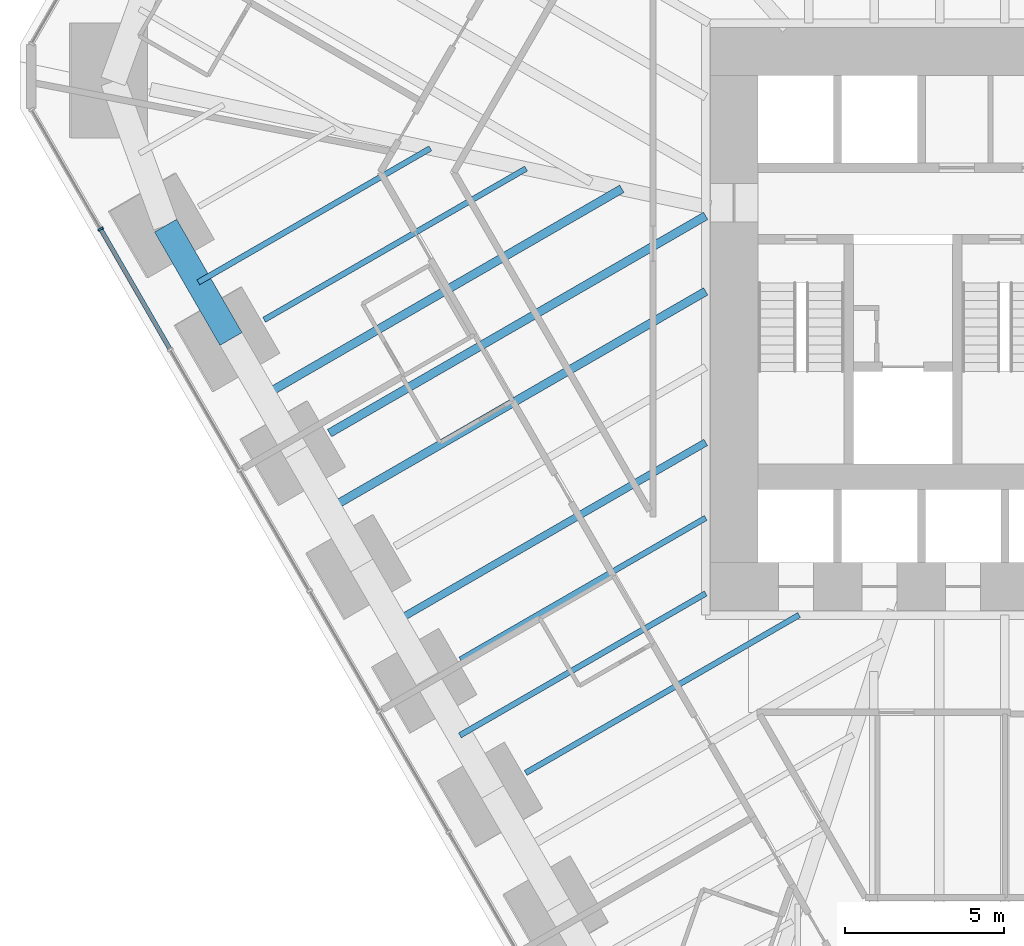
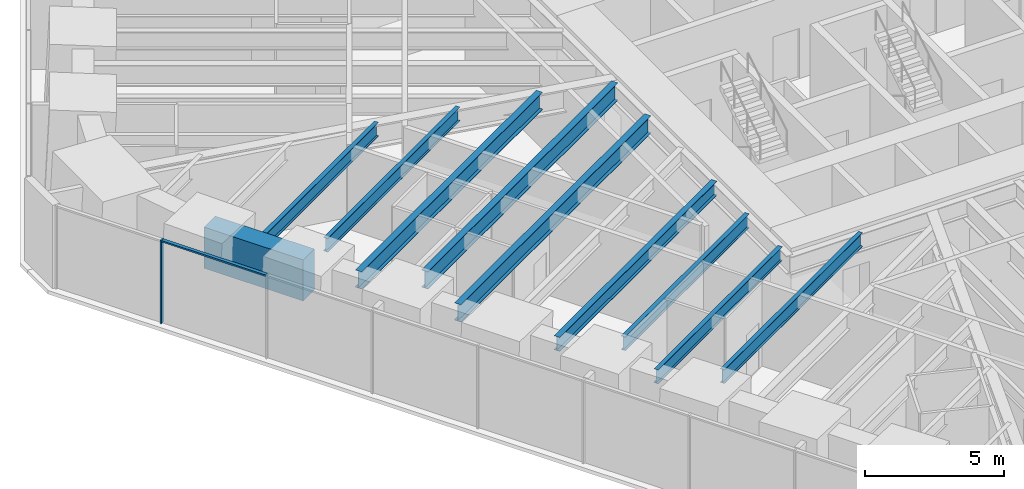
# One storey, part 3 of 17: 10 beams, 2 members, 1 element without a shape of its own.
"""IFC4 building model written with IfcOpenShell, lengths in metres."""

from ifc_helpers import new_model, si_unit, direction, frame, origin, origin_2d, place, context, subcontext, project, spatial, rectangle, i_section, extrude, material, material_profile, profile_set, type_object, element, aggregate, save


model = new_model("IFC4")

# Units and contexts
model_context = context("Model", 3, precision=1e-05, world=origin(), true_north=direction((0.0, 1.0)))
body_context = subcontext(model_context, "Body", "Model", "MODEL_VIEW")
ifc_project = project(units=[si_unit("LENGTHUNIT", "METRE"), si_unit("AREAUNIT", "SQUARE_METRE"), si_unit("VOLUMEUNIT", "CUBIC_METRE"), si_unit("PLANEANGLEUNIT", "RADIAN"), si_unit("MASSUNIT", "GRAM", prefix="KILO")], contexts=[model_context])

# Site, building, storey
site_placement = place(None, origin())
site = spatial("IfcSite", under=ifc_project, at=site_placement, CompositionType="ELEMENT")
building_placement = place(site_placement, origin())
building = spatial("IfcBuilding", under=site, at=building_placement, Name="Sandreach Pilgrim Tower", CompositionType="ELEMENT")
storey_placement = place(building_placement, frame((0.0, 0.0, 68.60009765625)))
storey = spatial("IfcBuildingStorey", under=building, at=storey_placement, Name="L16", CompositionType="ELEMENT", Elevation=68.60009765625)

# Curtain wall, members
ifc_material_1 = material(Name="Aluminium framed curtain wall", Category="aluminium")
curtain_wall_type = type_object("IfcCurtainWallType", Name="Hostel tower curtain wall", PredefinedType="NOTDEFINED", material=ifc_material_1)
curtain_wall_placement = place(storey_placement, origin())
curtain_wall = element("IfcCurtainWall", 1, at=curtain_wall_placement, inside=storey, type_object=curtain_wall_type, Name="CW-1 L16 SW", PredefinedType="NOTDEFINED")
ifc_material_2 = material(Name="Aluminium extrusion", Category="aluminium")
ifc_material_profile_1 = material_profile(ifc_material_2, rectangle(XDim=0.06494140625, YDim=0.179931640625, at=origin_2d()), Name="CW-1M 65X180")
ifc_profile_set_1 = profile_set([ifc_material_profile_1], Name="Aluminium extrusion")
member_type_1 = type_object("IfcMemberType", Name="CW-1 mullion", PredefinedType="MULLION", material=ifc_profile_set_1)
member_1_placement = place(storey_placement, frame((-28.390380859375, 1.2763671875, 0.0), z_axis=(0.0, 0.0, 1.0), x_axis=(-0.5, 0.866025403784, 0.0)))
member_1 = element("IfcMember", 2, at=member_1_placement, type_object=member_type_1, Name="CW-1 mullion 9", PredefinedType="MULLION", context=body_context, shape_type="SweptSolid", body=[
    extrude(rectangle(XDim=0.06494140625, YDim=0.179931640625, at=origin_2d()), origin(), (0.0, 0.0, 1.0), 3.639892578125),
])
ifc_material_3 = material(Name="Aluminium extrusion", Category="aluminium")
ifc_material_profile_2 = material_profile(ifc_material_3, rectangle(XDim=0.139892578125, YDim=0.070068359375, at=origin_2d()), Name="CW-1T 140X70")
ifc_profile_set_2 = profile_set([ifc_material_profile_2], Name="Aluminium extrusion")
member_type_2 = type_object("IfcMemberType", Name="CW-1 transom", PredefinedType="USERDEFINED", material=ifc_profile_set_2)
member_2_placement = place(storey_placement, frame((-26.220947265625, -2.4814453125, 3.60498046875), z_axis=(-0.500016891966, 0.866015650984, 0.0), x_axis=(-0.866015650984, -0.500016891966, 0.0)))
member_2 = element("IfcMember", 3, at=member_2_placement, type_object=member_type_2, Name="CW-1 head transom 8", ObjectType="TRANSOM", PredefinedType="USERDEFINED", context=body_context, shape_type="SweptSolid", body=[
    extrude(rectangle(XDim=0.139892578125, YDim=0.070068359375, at=origin_2d()), origin(), (0.0, 0.0, 1.0), 4.306396484375),
])
aggregate(curtain_wall, [member_1, member_2])

# Beams
ifc_material_4 = material(Name="Steel ASTM A992 Grade 50", Category="steel")
ifc_material_profile_3 = material_profile(ifc_material_4, i_section(OverallWidth=0.1787109375, OverallDepth=0.60205078125, WebThickness=0.010986328125, FlangeThickness=0.014892578125, at=origin_2d()), Name="W24X62")
ifc_profile_set_3 = profile_set([ifc_material_profile_3], Name="Steel ASTM A992 Grade 50")
beam_type_1 = type_object("IfcBeamType", Name="Floor beam W24X62", PredefinedType="BEAM", material=ifc_profile_set_3)
beam_1_placement = place(storey_placement, frame((-15.04638671875, -15.79931640625, 3.3388671875), z_axis=(0.866021515814, 0.500006734102, 0.0), x_axis=(-0.500006734102, 0.866021515814, 0.0)))
element("IfcBeam", 4, at=beam_1_placement, inside=storey, type_object=beam_type_1, Name="BM L16 F29", PredefinedType="BEAM", context=body_context, shape_type="SweptSolid", body=[
    extrude(i_section(OverallWidth=0.1787109375, OverallDepth=0.60205078125, WebThickness=0.010986328125, FlangeThickness=0.014892578125, at=origin_2d()), origin(), (0.0, 0.0, 1.0), 9.911865234375),
])
beam_2_placement = place(storey_placement, frame((-17.099609375, -12.2431640625, 3.3388671875), z_axis=(0.866026131413, 0.499998739708, 0.0), x_axis=(-0.499998739708, 0.866026131413, 0.0)))
element("IfcBeam", 5, at=beam_2_placement, inside=storey, type_object=beam_type_1, Name="BM L16 F30", PredefinedType="BEAM", context=body_context, shape_type="SweptSolid", body=[
    extrude(i_section(OverallWidth=0.1787109375, OverallDepth=0.60205078125, WebThickness=0.010986328125, FlangeThickness=0.014892578125, at=origin_2d()), origin(), (0.0, 0.0, 1.0), 8.8984375),
])
beam_3_placement = place(storey_placement, frame((-23.259033203125, -1.57470703125, 3.3388671875), z_axis=(0.866031057196, 0.499990207875, 0.0), x_axis=(-0.499990207875, 0.866031057196, 0.0)))
element("IfcBeam", 6, at=beam_3_placement, inside=storey, type_object=beam_type_1, Name="BM L16 F33", PredefinedType="BEAM", context=body_context, shape_type="SweptSolid", body=[
    extrude(i_section(OverallWidth=0.1787109375, OverallDepth=0.60205078125, WebThickness=0.010986328125, FlangeThickness=0.014892578125, at=origin_2d()), origin(), (0.0, 0.0, 1.0), 9.497802734375),
])
beam_4_placement = place(storey_placement, frame((-17.1123046875, -14.621337890625, 3.3388671875), z_axis=(0.86602639369, 0.499998285429, 0.0), x_axis=(-0.499998285429, 0.86602639369, 0.0)))
element("IfcBeam", 7, at=beam_4_placement, inside=storey, type_object=beam_type_1, Name="BM L16 FM29", PredefinedType="BEAM", context=body_context, shape_type="SweptSolid", body=[
    extrude(i_section(OverallWidth=0.1787109375, OverallDepth=0.60205078125, WebThickness=0.010986328125, FlangeThickness=0.014892578125, at=origin_2d()), origin(), (0.0, 0.0, 1.0), 8.9130859375),
])
beam_5_placement = place(storey_placement, frame((-25.32470703125, -0.396728515625, 3.3388671875), z_axis=(0.866023174489, 0.500003861233, 0.0), x_axis=(-0.500003861233, 0.866023174489, 0.0)))
element("IfcBeam", 8, at=beam_5_placement, inside=storey, type_object=beam_type_1, Name="BM L16 FM33", PredefinedType="BEAM", context=body_context, shape_type="SweptSolid", body=[
    extrude(i_section(OverallWidth=0.1787109375, OverallDepth=0.60205078125, WebThickness=0.010986328125, FlangeThickness=0.014892578125, at=origin_2d()), origin(), (0.0, 0.0, 1.0), 8.4111328125),
])
ifc_material_5 = material(Name="Steel ASTM A992 Grade 50", Category="steel")
ifc_material_profile_4 = material_profile(ifc_material_5, i_section(OverallWidth=0.23046875, OverallDepth=0.6171875, WebThickness=0.01318359375, FlangeThickness=0.022216796875, at=origin_2d()), Name="W24X94")
ifc_profile_set_4 = profile_set([ifc_material_profile_4], Name="Steel ASTM A992 Grade 50")
beam_type_2 = type_object("IfcBeamType", Name="Floor beam W24X94", PredefinedType="BEAM", material=ifc_profile_set_4)
beam_6_placement = place(storey_placement, frame((-19.165283203125, -11.065185546875, 3.331298828125), z_axis=(0.866025608725, 0.499999645032, 0.0), x_axis=(-0.499999645032, 0.866025608725, 0.0)))
element("IfcBeam", 9, at=beam_6_placement, inside=storey, type_object=beam_type_2, Name="BM L16 FM30", PredefinedType="BEAM", context=body_context, shape_type="SweptSolid", body=[
    extrude(i_section(OverallWidth=0.23046875, OverallDepth=0.6171875, WebThickness=0.01318359375, FlangeThickness=0.022216796875, at=origin_2d()), origin(), (0.0, 0.0, 1.0), 11.28369140625),
])
ifc_material_6 = material(Name="Steel ASTM A992 Grade 50", Category="steel")
ifc_material_profile_5 = material_profile(ifc_material_6, i_section(OverallWidth=0.2666015625, OverallDepth=0.761962890625, WebThickness=0.014404296875, FlangeThickness=0.021484375, at=origin_2d()), Name="W30X116")
ifc_profile_set_5 = profile_set([ifc_material_profile_5], Name="Steel ASTM A992 Grade 50")
beam_type_3 = type_object("IfcBeamType", Name="Floor beam W30X116", PredefinedType="BEAM", material=ifc_profile_set_5)
beam_7_placement = place(storey_placement, frame((-21.205810546875, -5.130859375, 3.2587890625), z_axis=(0.866029398571, 0.499993080764, 0.0), x_axis=(-0.499993080764, 0.866029398571, 0.0)))
element("IfcBeam", 10, at=beam_7_placement, inside=storey, type_object=beam_type_3, Name="BM L16 F32", PredefinedType="BEAM", context=body_context, shape_type="SweptSolid", body=[
    extrude(i_section(OverallWidth=0.2666015625, OverallDepth=0.761962890625, WebThickness=0.014404296875, FlangeThickness=0.021484375, at=origin_2d()), origin(), (0.0, 0.0, 1.0), 13.639892578125),
])
beam_8_placement = place(storey_placement, frame((-21.218505859375, -7.509033203125, 3.2587890625), z_axis=(0.866021824093, 0.500006200156, 0.0), x_axis=(-0.500006200156, 0.866021824093, 0.0)))
element("IfcBeam", 11, at=beam_8_placement, inside=storey, type_object=beam_type_3, Name="BM L16 FM31", PredefinedType="BEAM", context=body_context, shape_type="SweptSolid", body=[
    extrude(i_section(OverallWidth=0.2666015625, OverallDepth=0.761962890625, WebThickness=0.014404296875, FlangeThickness=0.021484375, at=origin_2d()), origin(), (0.0, 0.0, 1.0), 13.654541015625),
])
beam_9_placement = place(storey_placement, frame((-23.271728515625, -3.952880859375, 3.2587890625), z_axis=(0.866022136417, 0.500005659204, 0.0), x_axis=(-0.500005659204, 0.866022136417, 0.0)))
element("IfcBeam", 12, at=beam_9_placement, inside=storey, type_object=beam_type_3, Name="BM L16 FM32", PredefinedType="BEAM", context=body_context, shape_type="SweptSolid", body=[
    extrude(i_section(OverallWidth=0.2666015625, OverallDepth=0.761962890625, WebThickness=0.014404296875, FlangeThickness=0.021484375, at=origin_2d()), origin(), (0.0, 0.0, 1.0), 12.984130859375),
])
ifc_material_7 = material(Name="Concrete 10000 psi", Category="concrete")
ifc_material_profile_6 = material_profile(ifc_material_7, rectangle(XDim=0.800048828125, YDim=1.800048828125, at=origin_2d()), Name="RC800X1800")
ifc_profile_set_6 = profile_set([ifc_material_profile_6], Name="Concrete 10000 psi")
beam_type_4 = type_object("IfcBeamType", Name="Spandrel beam RC800X1800", PredefinedType="SPANDREL", material=ifc_profile_set_6)
beam_10_placement = place(storey_placement, frame((-24.29833984375, -2.1748046875, 2.739990234375), z_axis=(-0.499969497581, 0.866043013648, 0.0), x_axis=(-0.866043013648, -0.499969497581, 0.0)))
element("IfcBeam", 13, at=beam_10_placement, inside=storey, type_object=beam_type_4, Name="BM L16 SP33", PredefinedType="SPANDREL", context=body_context, shape_type="SweptSolid", body=[
    extrude(rectangle(XDim=0.800048828125, YDim=1.800048828125, at=origin_2d()), origin(), (0.0, 0.0, 1.0), 4.106201171875),
])

save(model, "model.ifc")
